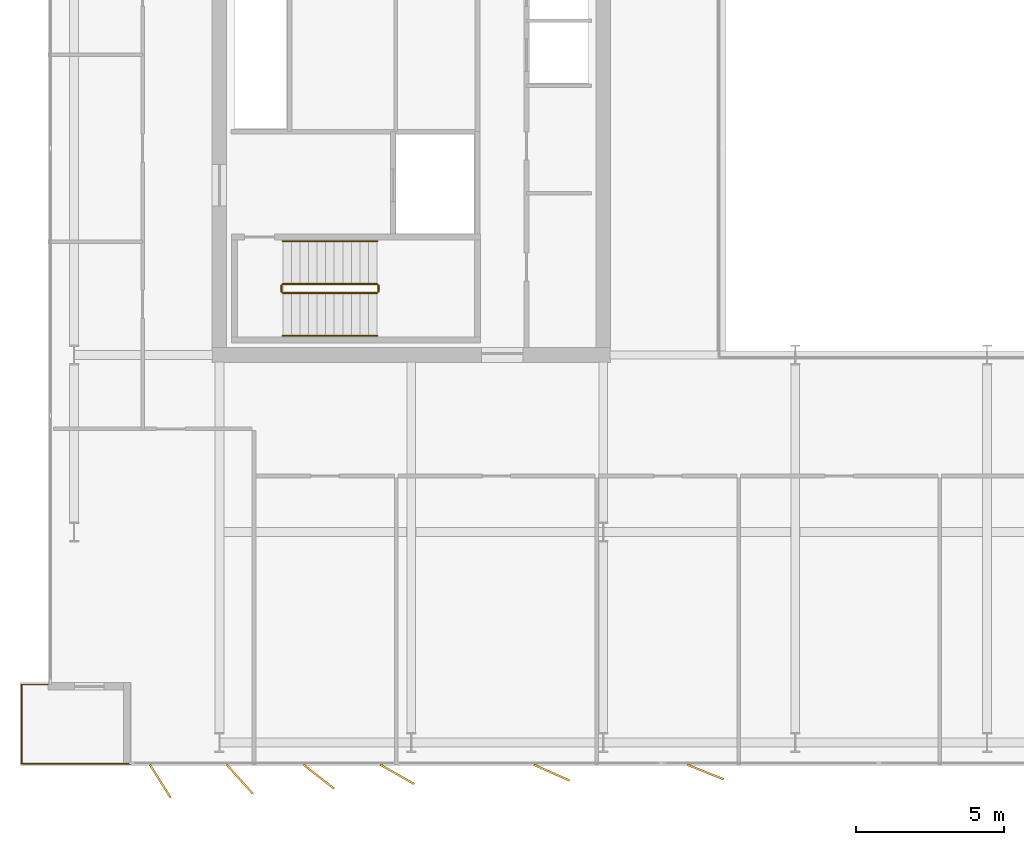
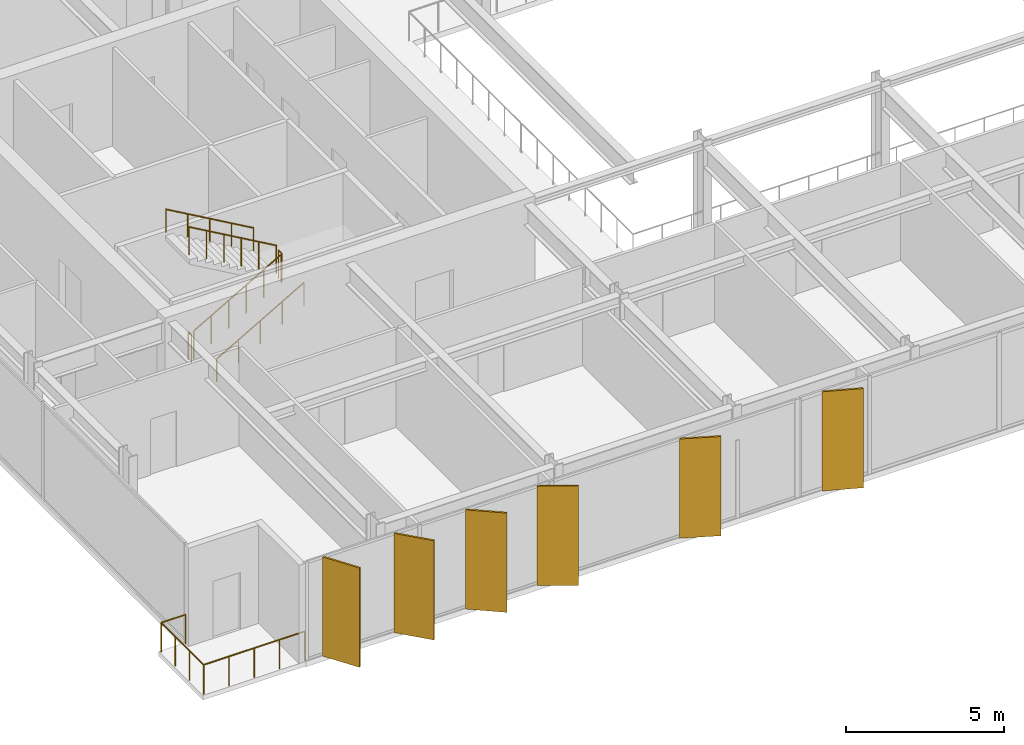
# One storey, part 17 of 20: 7 railings, 6 shading devices.
"""IFC4 building model written with IfcOpenShell, lengths in metres."""

from ifc_helpers import new_model, si_unit, direction, frame, origin, origin_2d, place, context, subcontext, project, spatial, rectangle, circle, extrude, material, layer, layer_set, type_object, element, save


model = new_model("IFC4")

# Units and contexts
model_context = context("Model", 3, precision=1e-05, world=origin(), true_north=direction((0.0, 1.0)))
body_context = subcontext(model_context, "Body", "Model", "MODEL_VIEW")
ifc_project = project(units=[si_unit("LENGTHUNIT", "METRE"), si_unit("AREAUNIT", "SQUARE_METRE"), si_unit("VOLUMEUNIT", "CUBIC_METRE"), si_unit("PLANEANGLEUNIT", "RADIAN"), si_unit("MASSUNIT", "GRAM", prefix="KILO")], contexts=[model_context])

# Site, building, storey
site_placement = place(None, origin())
site = spatial("IfcSite", under=ifc_project, at=site_placement, CompositionType="ELEMENT")
building_placement = place(site_placement, origin())
building = spatial("IfcBuilding", under=site, at=building_placement, Name="Putna Gate Headquarters", CompositionType="ELEMENT")
storey_placement = place(building_placement, frame((0.0, 0.0, 298.39990234375)))
storey = spatial("IfcBuildingStorey", under=building, at=storey_placement, Name="L75", CompositionType="ELEMENT", Elevation=298.39990234375)

# Railings
ifc_material_1 = material(Name="Powder-coated steel stair guardrail", Category="steel")
railing_type_1 = type_object("IfcRailingType", Name="RAIL-STAIR-GUARD-1100", PredefinedType="GUARDRAIL", material=ifc_material_1)
railing_1_placement = place(storey_placement, frame((15.14990234375, 21.10009765625, 0.166748046875)))
element("IfcRailing", 1, at=railing_1_placement, inside=storey, type_object=railing_type_1, Name="L75 ST1 stair guard 1", PredefinedType="GUARDRAIL", context=body_context, shape_type="SweptSolid", body=[
    extrude(circle(Radius=0.02392578125, at=origin_2d()), frame((0.0, 0.0, 1.076171875), z_axis=(0.8670360191, 0.0, 0.498245463184), x_axis=(0.0, 1.0, 0.0)), (0.0, 0.0, 1.0), 3.679443359375),
    extrude(circle(Radius=0.02099609375, at=origin_2d()), origin(), (0.0, 0.0, 1.0), 1.052001953125),
    extrude(circle(Radius=0.02099609375, at=origin_2d()), frame((0.637939453125, 0.0, 0.36669921875)), (0.0, 0.0, 1.0), 1.052001953125),
    extrude(circle(Radius=0.02099609375, at=origin_2d()), frame((1.276123046875, 0.0, 0.7333984375)), (0.0, 0.0, 1.0), 1.052001953125),
    extrude(circle(Radius=0.02099609375, at=origin_2d()), frame((1.9140625, 0.0, 1.099853515625)), (0.0, 0.0, 1.0), 1.052001953125),
    extrude(circle(Radius=0.02099609375, at=origin_2d()), frame((2.55224609375, 0.0, 1.466552734375)), (0.0, 0.0, 1.0), 1.052001953125),
    extrude(circle(Radius=0.02099609375, at=origin_2d()), frame((3.190185546875, 0.0, 1.833251953125)), (0.0, 0.0, 1.0), 1.052001953125),
])
railing_2_placement = place(storey_placement, frame((18.389892578125, 21.14990234375, 2.0)))
element("IfcRailing", 2, at=railing_2_placement, inside=storey, type_object=railing_type_1, Name="L75 ST1 stair guard 2", PredefinedType="GUARDRAIL", context=body_context, shape_type="SweptSolid", body=[
    extrude(circle(Radius=0.02392578125, at=origin_2d()), frame((0.0, 0.0, 1.076171875), z_axis=(0.0, 1.0, 0.0), x_axis=(-1.0, 0.0, 0.0)), (0.0, 0.0, 1.0), 0.2001953125),
    extrude(circle(Radius=0.02099609375, at=origin_2d()), origin(), (0.0, 0.0, 1.0), 1.052001953125),
    extrude(circle(Radius=0.02099609375, at=origin_2d()), frame((0.0, 0.2001953125, 0.0)), (0.0, 0.0, 1.0), 1.052001953125),
])
railing_3_placement = place(storey_placement, frame((18.340087890625, 21.39990234375, 2.166748046875)))
element("IfcRailing", 3, at=railing_3_placement, inside=storey, type_object=railing_type_1, Name="L75 ST1 stair guard 3", PredefinedType="GUARDRAIL", context=body_context, shape_type="SweptSolid", body=[
    extrude(circle(Radius=0.02392578125, at=origin_2d()), frame((0.0, 0.0, 1.076171875), z_axis=(-0.8670360191, 0.0, 0.498245463184), x_axis=(0.0, -1.0, 0.0)), (0.0, 0.0, 1.0), 3.679443359375),
    extrude(circle(Radius=0.02099609375, at=origin_2d()), origin(), (0.0, 0.0, 1.0), 1.052001953125),
    extrude(circle(Radius=0.02099609375, at=origin_2d()), frame((-0.637939453125, 0.0, 0.36669921875)), (0.0, 0.0, 1.0), 1.052001953125),
    extrude(circle(Radius=0.02099609375, at=origin_2d()), frame((-1.276123046875, 0.0, 0.7333984375)), (0.0, 0.0, 1.0), 1.052001953125),
    extrude(circle(Radius=0.02099609375, at=origin_2d()), frame((-1.9140625, 0.0, 1.099853515625)), (0.0, 0.0, 1.0), 1.052001953125),
    extrude(circle(Radius=0.02099609375, at=origin_2d()), frame((-2.55224609375, 0.0, 1.466552734375)), (0.0, 0.0, 1.0), 1.052001953125),
    extrude(circle(Radius=0.02099609375, at=origin_2d()), frame((-3.190185546875, 0.0, 1.833251953125)), (0.0, 0.0, 1.0), 1.052001953125),
])
railing_4_placement = place(storey_placement, frame((15.10009765625, 21.14990234375, 0.0)))
element("IfcRailing", 4, at=railing_4_placement, inside=storey, type_object=railing_type_1, Name="L75 ST1 stair guard 4", PredefinedType="GUARDRAIL", context=body_context, shape_type="SweptSolid", body=[
    extrude(circle(Radius=0.02392578125, at=origin_2d()), frame((0.0, 0.0, 1.076171875), z_axis=(0.0, 1.0, 0.0), x_axis=(-1.0, 0.0, 0.0)), (0.0, 0.0, 1.0), 0.2001953125),
    extrude(circle(Radius=0.02099609375, at=origin_2d()), origin(), (0.0, 0.0, 1.0), 1.052001953125),
    extrude(circle(Radius=0.02099609375, at=origin_2d()), frame((0.0, 0.2001953125, 0.0)), (0.0, 0.0, 1.0), 1.052001953125),
])
ifc_material_2 = material(Name="Brushed stainless steel handrail", Category="steel")
railing_type_2 = type_object("IfcRailingType", Name="RAIL-STAIR-HAND-900", PredefinedType="HANDRAIL", material=ifc_material_2)
railing_5_placement = place(storey_placement, frame((15.14990234375, 19.64990234375, 0.166748046875)))
element("IfcRailing", 5, at=railing_5_placement, inside=storey, type_object=railing_type_2, Name="L75 ST1 stair handrail 1", PredefinedType="HANDRAIL", context=body_context, shape_type="SweptSolid", body=[
    extrude(circle(Radius=0.02392578125, at=origin_2d()), frame((0.0, 0.0, 0.8759765625), z_axis=(0.8670360191, 0.0, 0.498245463184), x_axis=(0.0, 1.0, 0.0)), (0.0, 0.0, 1.0), 3.679443359375),
    extrude(circle(Radius=0.02099609375, at=origin_2d()), origin(), (0.0, 0.0, 1.0), 0.851806640625),
    extrude(circle(Radius=0.02099609375, at=origin_2d()), frame((0.797607421875, 0.0, 0.458251953125)), (0.0, 0.0, 1.0), 0.851806640625),
    extrude(circle(Radius=0.02099609375, at=origin_2d()), frame((1.59521484375, 0.0, 0.91650390625)), (0.0, 0.0, 1.0), 0.851806640625),
    extrude(circle(Radius=0.02099609375, at=origin_2d()), frame((2.392578125, 0.0, 1.375)), (0.0, 0.0, 1.0), 0.851806640625),
    extrude(circle(Radius=0.02099609375, at=origin_2d()), frame((3.190185546875, 0.0, 1.833251953125)), (0.0, 0.0, 1.0), 0.851806640625),
])
railing_6_placement = place(storey_placement, frame((18.340087890625, 22.85009765625, 2.166748046875)))
element("IfcRailing", 6, at=railing_6_placement, inside=storey, type_object=railing_type_2, Name="L75 ST1 stair handrail 2", PredefinedType="HANDRAIL", context=body_context, shape_type="SweptSolid", body=[
    extrude(circle(Radius=0.02392578125, at=origin_2d()), frame((0.0, 0.0, 0.8759765625), z_axis=(-0.8670360191, 0.0, 0.498245463184), x_axis=(0.0, -1.0, 0.0)), (0.0, 0.0, 1.0), 3.679443359375),
    extrude(circle(Radius=0.02099609375, at=origin_2d()), origin(), (0.0, 0.0, 1.0), 0.851806640625),
    extrude(circle(Radius=0.02099609375, at=origin_2d()), frame((-0.797607421875, 0.0, 0.458251953125)), (0.0, 0.0, 1.0), 0.851806640625),
    extrude(circle(Radius=0.02099609375, at=origin_2d()), frame((-1.59521484375, 0.0, 0.91650390625)), (0.0, 0.0, 1.0), 0.851806640625),
    extrude(circle(Radius=0.02099609375, at=origin_2d()), frame((-2.392578125, 0.0, 1.375)), (0.0, 0.0, 1.0), 0.851806640625),
    extrude(circle(Radius=0.02099609375, at=origin_2d()), frame((-3.190185546875, 0.0, 1.833251953125)), (0.0, 0.0, 1.0), 0.851806640625),
])
ifc_material_3 = material(Name="Anodised bronze steel and laminated glass guardrail", Category="steel")
railing_type_3 = type_object("IfcRailingType", Name="RAIL-TERR-GUARD-1150", PredefinedType="GUARDRAIL", material=ifc_material_3)
railing_7_placement = place(storey_placement, frame((10.0, 5.159912109375, 0.0)))
element("IfcRailing", 7, at=railing_7_placement, inside=storey, type_object=railing_type_3, Name="L75 Spiral Sky Terrace Guardrail SW", PredefinedType="GUARDRAIL", context=body_context, shape_type="SweptSolid", body=[
    extrude(circle(Radius=0.02392578125, at=origin_2d()), frame((0.0, 0.0, 1.1259765625), z_axis=(-1.0, 0.0, 0.0), x_axis=(0.0, -1.0, 0.0)), (0.0, 0.0, 1.0), 3.68994140625),
    extrude(circle(Radius=0.02392578125, at=origin_2d()), frame((-3.68994140625, 0.0, 1.1259765625), z_axis=(0.0, 1.0, 0.0), x_axis=(-1.0, 0.0, 0.0)), (0.0, 0.0, 1.0), 2.68017578125),
    extrude(circle(Radius=0.02392578125, at=origin_2d()), frame((-3.68994140625, 2.68017578125, 1.1259765625), z_axis=(1.0, 0.0, 0.0), x_axis=(0.0, 1.0, 0.0)), (0.0, 0.0, 1.0), 0.889892578125),
    extrude(circle(Radius=0.02099609375, at=origin_2d()), origin(), (0.0, 0.0, 1.0), 1.101806640625),
    extrude(circle(Radius=0.02099609375, at=origin_2d()), frame((-0.92236328125, 0.0, 0.0)), (0.0, 0.0, 1.0), 1.101806640625),
    extrude(circle(Radius=0.02099609375, at=origin_2d()), frame((-1.844970703125, 0.0, 0.0)), (0.0, 0.0, 1.0), 1.101806640625),
    extrude(circle(Radius=0.02099609375, at=origin_2d()), frame((-2.767578125, 0.0, 0.0)), (0.0, 0.0, 1.0), 1.101806640625),
    extrude(circle(Radius=0.02099609375, at=origin_2d()), frame((-3.68994140625, 0.0, 0.0)), (0.0, 0.0, 1.0), 1.101806640625),
    extrude(circle(Radius=0.02099609375, at=origin_2d()), frame((-3.68994140625, 0.893310546875, 0.0)), (0.0, 0.0, 1.0), 1.101806640625),
    extrude(circle(Radius=0.02099609375, at=origin_2d()), frame((-3.68994140625, 1.786865234375, 0.0)), (0.0, 0.0, 1.0), 1.101806640625),
    extrude(circle(Radius=0.02099609375, at=origin_2d()), frame((-3.68994140625, 2.68017578125, 0.0)), (0.0, 0.0, 1.0), 1.101806640625),
    extrude(circle(Radius=0.02099609375, at=origin_2d()), frame((-2.800048828125, 2.68017578125, 0.0)), (0.0, 0.0, 1.0), 1.101806640625),
])

# Shading devices
ifc_material_4 = material(Name="Anodised architectural bronze aluminium fin", Category="aluminium")
ifc_layer = layer(ifc_material_4, 0.06494140625)
ifc_layer_set = layer_set([ifc_layer], Name="Anodised architectural bronze aluminium fin")
shading_device_type = type_object("IfcShadingDeviceType", Name="SHADE-BRONZE-FIN-1320", PredefinedType="USERDEFINED", material=ifc_layer_set)
for number, where, z_axis, x_axis, name in (
    (8, (11.000244140625, 4.565673828125, -0.02001953125), (0.0, 0.0, 1.0), (0.530659123936, -0.847585331506, 0.0), "L75 Bronze Vertical Shading Fin S1"),
    (9, (13.691650390625, 4.634521484375, -0.02001953125), (0.0, 0.0, 1.0), (0.669130606359, -0.743144825477, 0.0), "L75 Bronze Vertical Shading Fin S2"),
    (10, (16.36962890625, 4.71826171875, -0.02001953125), (0.0, 0.0, 1.0), (0.787473187632, -0.616348909921, 0.0), "L75 Bronze Vertical Shading Fin S3"),
    (11, (19.023681640625, 4.798828125, -0.02001953125), (0.0, 0.0, 1.0), (0.869322458298, -0.494245347472, 0.0), "L75 Bronze Vertical Shading Fin S4"),
    (12, (24.2529296875, 4.856689453125, -0.02001953125), (0.0, 0.0, 1.0), (0.913687379856, -0.40641773078, 0.0), "L75 Bronze Vertical Shading Fin S5"),
    (13, (29.4619140625, 4.877685546875, -0.02001953125), (0.0, 0.0, 1.0), (0.927183854567, -0.374606593416, 0.0), "L75 Bronze Vertical Shading Fin S6"),
):
    element("IfcShadingDevice", number, at=place(storey_placement, frame(where, z_axis=z_axis, x_axis=x_axis)), inside=storey, type_object=shading_device_type, Name=name, ObjectType="FIN", PredefinedType="USERDEFINED", context=body_context, shape_type="SweptSolid", body=[
        extrude(rectangle(XDim=1.320068359375, YDim=0.06494140625, at=origin_2d()), origin(), (0.0, 0.0, 1.0), 3.827880859375),
    ])

save(model, "model.ifc")
